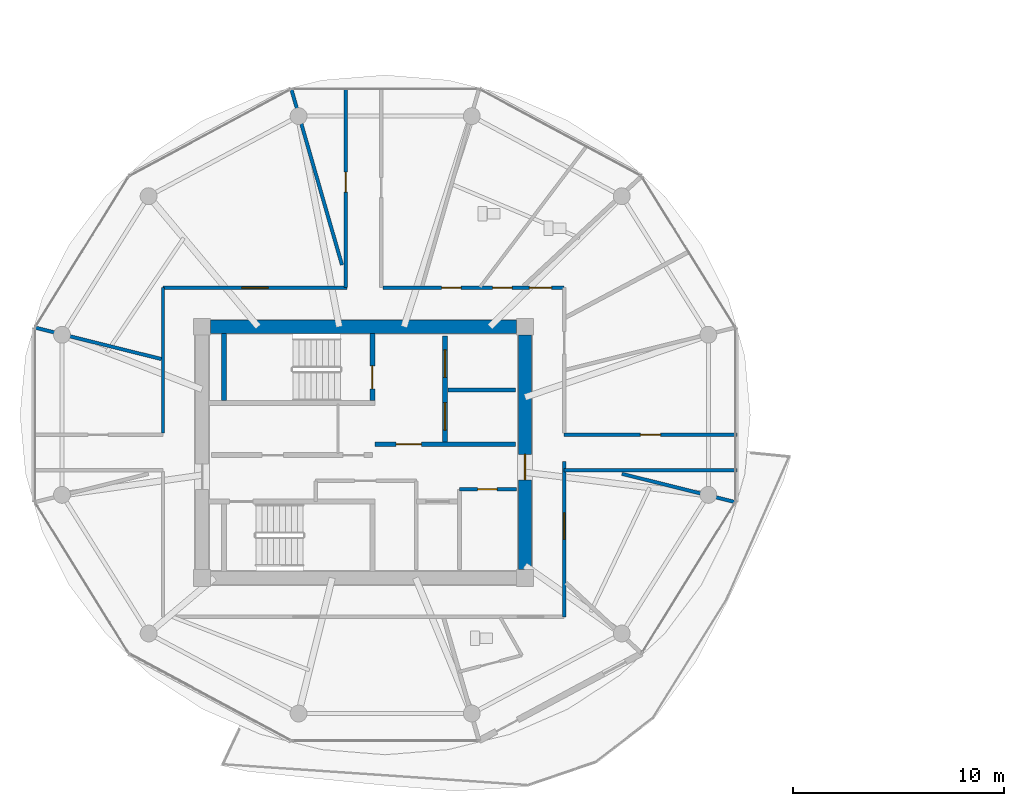
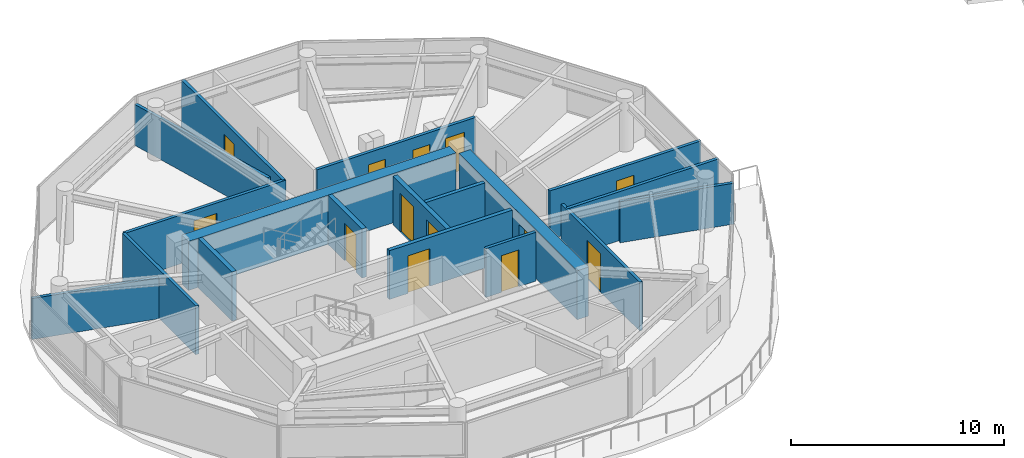
# One storey, part 13 of 23: 18 walls, 13 doors, 13 openings.
"""IFC4 building model written with IfcOpenShell, lengths in metres."""

from ifc_helpers import new_model, si_unit, direction, frame, frame_2d, origin, place, context, subcontext, project, spatial, rectangle, extrude, source, transform, mapped, material, layer, layer_set, type_object, type_shapes, element, fill, save


model = new_model("IFC4")

# Units and contexts
model_context = context("Model", 3, precision=1e-05, world=origin(), true_north=direction((0.0, 1.0)))
body_context = subcontext(model_context, "Body", "Model", "MODEL_VIEW")
ifc_project = project(units=[si_unit("LENGTHUNIT", "METRE"), si_unit("AREAUNIT", "SQUARE_METRE"), si_unit("VOLUMEUNIT", "CUBIC_METRE"), si_unit("PLANEANGLEUNIT", "RADIAN"), si_unit("MASSUNIT", "GRAM", prefix="KILO")], contexts=[model_context])

# Site, building, storey
site_placement = place(None, origin())
site = spatial("IfcSite", under=ifc_project, at=site_placement, CompositionType="ELEMENT")
building_placement = place(site_placement, origin())
building = spatial("IfcBuilding", under=site, at=building_placement, Name="Norrkilde Senior Care Towers", CompositionType="ELEMENT")
storey_placement = place(building_placement, frame((0.0, 0.0, 177.0)))
storey = spatial("IfcBuildingStorey", under=building, at=storey_placement, Name="L55", CompositionType="ELEMENT", Elevation=177.0)

# Wall
ifc_material_1 = material(Name="Concrete C50/60", Category="concrete")
ifc_layer_1 = layer(ifc_material_1, 0.6201171875)
ifc_layer_set_1 = layer_set([ifc_layer_1], Name="Concrete C50/60")
wall_type_1 = type_object("IfcWallType", Name="Core Shear Wall Z3 620", PredefinedType="SHEAR", material=ifc_layer_set_1)
shared_shape_1 = source(origin(), body_context, "Body", "SweptSolid", [
    extrude(rectangle(XDim=14.5, YDim=0.6201171875, at=frame_2d((7.25, 0.0))), origin(), (0.0, 0.0, 1.0), 2.81005859375),
])
wall_1_placement = place(storey_placement, frame((-35.25, 5.949951171875, 0.0), z_axis=(0.0, 0.0, 1.0), x_axis=(1.0, 0.0, 0.0)))
element("IfcWall", 1, at=wall_1_placement, inside=storey, type_object=wall_type_1, Name="L55 Core W North Shear Wall", PredefinedType="SHEAR", context=body_context, shape_type="MappedRepresentation", body=[
    mapped(shared_shape_1, transform((0.0, 0.0, 0.0), x_axis=(1.0, 0.0, 0.0), y_axis=(0.0, 1.0, 0.0), z_axis=(0.0, 0.0, 1.0), scale=1.0)),
])

# Wall, opening, door
shared_shape_2 = source(origin(), body_context, "Body", "SweptSolid", [
    extrude(rectangle(XDim=11.10009765625, YDim=0.6201171875, at=frame_2d((5.550048828125, 0.0))), origin(), (0.0, 0.0, 1.0), 2.81005859375),
])
type_shapes(wall_type_1, [shared_shape_1, shared_shape_2])
wall_2_placement = place(storey_placement, frame((-20.35009765625, 5.550048828125, 0.0), z_axis=(0.0, 0.0, 1.0), x_axis=(0.0, -1.0, 0.0)))
wall_2 = element("IfcWall", 2, at=wall_2_placement, inside=storey, type_object=wall_type_1, Name="L55 Core W East Shear Wall", PredefinedType="SHEAR", context=body_context, shape_type="MappedRepresentation", body=[
    mapped(shared_shape_2, transform((0.0, 0.0, 0.0), x_axis=(1.0, 0.0, 0.0), y_axis=(0.0, 1.0, 0.0), z_axis=(0.0, 0.0, 1.0), scale=1.0)),
])
opening_1_placement = place(wall_2_placement, frame((5.64990234375, 0.0, 0.0)))
opening_1 = element("IfcOpeningElement", 3, at=opening_1_placement, cuts=wall_2, Name="Opening D-04", PredefinedType="OPENING", context=body_context, shape_type="SweptSolid", body=[
    extrude(rectangle(XDim=1.199951171875, YDim=2.14990234375, at=frame_2d((0.60009765625, 1.074951171875))), frame((0.0, 0.320068359375, 0.0), z_axis=(0.0, -1.0, 0.0), x_axis=(1.0, 0.0, 0.0)), (0.0, 0.0, 1.0), 0.64013671875),
])
ifc_material_2 = material(Name="Galvanised Painted Steel", Category="steel")
door_type_1 = type_object("IfcDoorType", Name="Firefighting Lobby Fire Door 1200x2150", OperationType="NOTDEFINED", PredefinedType="DOOR", material=ifc_material_2)
shared_shape_3 = source(origin(), body_context, "Body", "SweptSolid", [
    extrude(rectangle(XDim=1.199951171875, YDim=2.14990234375, at=frame_2d((0.60009765625, 1.074951171875))), frame((0.0, 0.02490234375, 0.0), z_axis=(0.0, -1.0, 0.0), x_axis=(1.0, 0.0, 0.0)), (0.0, 0.0, 1.0), 0.050048828125),
])
type_shapes(door_type_1, [shared_shape_3])
door_1_placement = place(opening_1_placement, frame((1.199951171875, 0.0, 0.0), z_axis=(0.0, 0.0, 1.0), x_axis=(-1.0, 0.0, 0.0)))
door_1 = element("IfcDoor", 4, at=door_1_placement, inside=storey, type_object=door_type_1, Name="L55 Core W East Portal Door", OperationType="SINGLE_SWING_RIGHT", OverallHeight=2.14990234375, OverallWidth=1.199951171875, PredefinedType="DOOR", context=body_context, shape_type="MappedRepresentation", body=[
    mapped(shared_shape_3, transform((0.0, 0.0, 0.0), x_axis=(1.0, 0.0, 0.0), y_axis=(0.0, 1.0, 0.0), z_axis=(0.0, 0.0, 1.0), scale=1.0)),
])
fill(opening_1, door_1)

# Wall
ifc_material_3 = material(Name="Concrete C45/55", Category="concrete")
ifc_layer_2 = layer(ifc_material_3, 0.239990234375)
ifc_layer_set_2 = layer_set([ifc_layer_2], Name="Concrete C45/55")
wall_type_2 = type_object("IfcWallType", Name="Shaft and Stair Enclosure Wall 240", PredefinedType="PARTITIONING", material=ifc_layer_set_2)
shared_shape_4 = source(origin(), body_context, "Body", "SweptSolid", [
    extrude(rectangle(XDim=3.18994140625, YDim=0.239990234375, at=frame_2d((1.594970703125, 0.0))), origin(), (0.0, 0.0, 1.0), 2.81005859375),
])
type_shapes(wall_type_2, [shared_shape_4])
wall_3_placement = place(storey_placement, frame((-34.6201171875, 2.449951171875, 0.0), z_axis=(0.0, 0.0, 1.0), x_axis=(0.0, 1.0, 0.0)))
element("IfcWall", 5, at=wall_3_placement, inside=storey, type_object=wall_type_2, Name="WL-INT-L55-W-ST1W", PredefinedType="PARTITIONING", context=body_context, shape_type="MappedRepresentation", body=[
    mapped(shared_shape_4, transform((0.0, 0.0, 0.0), x_axis=(1.0, 0.0, 0.0), y_axis=(0.0, 1.0, 0.0), z_axis=(0.0, 0.0, 1.0), scale=1.0)),
])

# Wall, opening, door
wall_4_placement = place(storey_placement, frame((-27.580078125, 2.449951171875, 0.0), z_axis=(0.0, 0.0, 1.0), x_axis=(0.0, 1.0, 0.0)))
wall_4 = element("IfcWall", 6, at=wall_4_placement, inside=storey, type_object=wall_type_2, Name="WL-INT-L55-W-ST1E", PredefinedType="PARTITIONING", context=body_context, shape_type="MappedRepresentation", body=[
    mapped(shared_shape_4, transform((0.0, 0.0, 0.0), x_axis=(1.0, 0.0, 0.0), y_axis=(0.0, 1.0, 0.0), z_axis=(0.0, 0.0, 1.0), scale=1.0)),
])
opening_2_placement = place(wall_4_placement, frame((0.550048828125, 0.0, 0.0)))
opening_2 = element("IfcOpeningElement", 7, at=opening_2_placement, cuts=wall_4, Name="Opening D-03", PredefinedType="OPENING", context=body_context, shape_type="SweptSolid", body=[
    extrude(rectangle(XDim=1.10009765625, YDim=2.14990234375, at=frame_2d((0.550048828125, 1.074951171875))), frame((0.0, 0.1298828125, 0.0), z_axis=(0.0, -1.0, 0.0), x_axis=(1.0, 0.0, 0.0)), (0.0, 0.0, 1.0), 0.260009765625),
])
door_type_2 = type_object("IfcDoorType", Name="Stairwell Protected Fire Door 1100x2150", OperationType="NOTDEFINED", PredefinedType="DOOR", material=ifc_material_2)
shared_shape_5 = source(origin(), body_context, "Body", "SweptSolid", [
    extrude(rectangle(XDim=1.10009765625, YDim=2.14990234375, at=frame_2d((0.550048828125, 1.074951171875))), frame((0.0, 0.02490234375, 0.0), z_axis=(0.0, -1.0, 0.0), x_axis=(1.0, 0.0, 0.0)), (0.0, 0.0, 1.0), 0.050048828125),
])
type_shapes(door_type_2, [shared_shape_5])
door_2_placement = place(opening_2_placement, origin())
door_2 = element("IfcDoor", 8, at=door_2_placement, inside=storey, type_object=door_type_2, Name="L55 Stair W1 Fire Door", OperationType="SINGLE_SWING_LEFT", OverallHeight=2.14990234375, OverallWidth=1.10009765625, PredefinedType="DOOR", context=body_context, shape_type="MappedRepresentation", body=[
    mapped(shared_shape_5, transform((0.0, 0.0, 0.0), x_axis=(1.0, 0.0, 0.0), y_axis=(0.0, 1.0, 0.0), z_axis=(0.0, 0.0, 1.0), scale=1.0)),
])
fill(opening_2, door_2)

# Wall, openings, doors
ifc_layer_3 = layer(ifc_material_3, 0.239990234375)
ifc_layer_set_3 = layer_set([ifc_layer_3], Name="Concrete C45/55")
wall_type_3 = type_object("IfcWallType", Name="Lift and Plant Rated Enclosure Partition 240", PredefinedType="PARTITIONING", material=ifc_layer_set_3)
shared_shape_6 = source(origin(), body_context, "Body", "SweptSolid", [
    extrude(rectangle(XDim=5.0, YDim=0.239990234375, at=frame_2d((2.5, 0.0))), origin(), (0.0, 0.0, 1.0), 2.794921875),
])
type_shapes(wall_type_3, [shared_shape_6])
wall_5_placement = place(storey_placement, frame((-24.139892578125, 0.5, 0.0), z_axis=(0.0, 0.0, 1.0), x_axis=(0.0, 1.0, 0.0)))
wall_5 = element("IfcWall", 9, at=wall_5_placement, inside=storey, type_object=wall_type_3, Name="WL-INT-L55-W-FFLE", PredefinedType="PARTITIONING", context=body_context, shape_type="MappedRepresentation", body=[
    mapped(shared_shape_6, transform((0.0, 0.0, 0.0), x_axis=(1.0, 0.0, 0.0), y_axis=(0.0, 1.0, 0.0), z_axis=(0.0, 0.0, 1.0), scale=1.0)),
])
opening_3_placement = place(wall_5_placement, frame((3.050048828125, 0.0, 0.0)))
opening_3 = element("IfcOpeningElement", 10, at=opening_3_placement, cuts=wall_5, Name="Opening LD-02", PredefinedType="OPENING", context=body_context, shape_type="SweptSolid", body=[
    extrude(rectangle(XDim=1.300048828125, YDim=2.199951171875, at=frame_2d((0.64990234375, 1.10009765625))), frame((0.0, 0.1298828125, 0.0), z_axis=(0.0, -1.0, 0.0), x_axis=(1.0, 0.0, 0.0)), (0.0, 0.0, 1.0), 0.260009765625),
])
opening_4_placement = place(wall_5_placement, frame((0.550048828125, 0.0, 0.0)))
opening_4 = element("IfcOpeningElement", 11, at=opening_4_placement, cuts=wall_5, Name="Opening LD-02", PredefinedType="OPENING", context=body_context, shape_type="SweptSolid", body=[
    extrude(rectangle(XDim=1.300048828125, YDim=2.199951171875, at=frame_2d((0.64990234375, 1.10009765625))), frame((0.0, 0.1298828125, 0.0), z_axis=(0.0, -1.0, 0.0), x_axis=(1.0, 0.0, 0.0)), (0.0, 0.0, 1.0), 0.260009765625),
])
ifc_material_4 = material(Name="Stainless Steel", Category="steel")
door_type_3 = type_object("IfcDoorType", Name="Stretcher and FFL Landing Sliding Door 1300x2200", OperationType="NOTDEFINED", PredefinedType="DOOR", material=ifc_material_4)
shared_shape_7 = source(origin(), body_context, "Body", "SweptSolid", [
    extrude(rectangle(XDim=1.300048828125, YDim=2.199951171875, at=frame_2d((0.64990234375, 1.10009765625))), frame((0.0, 0.02490234375, 0.0), z_axis=(0.0, -1.0, 0.0), x_axis=(1.0, 0.0, 0.0)), (0.0, 0.0, 1.0), 0.050048828125),
])
type_shapes(door_type_3, [shared_shape_7])
door_3_placement = place(opening_3_placement, origin())
door_3 = element("IfcDoor", 12, at=door_3_placement, inside=storey, type_object=door_type_3, Name="L55 Firefighting Lift W1 Landing Door", OperationType="SLIDING_TO_LEFT", OverallHeight=2.199951171875, OverallWidth=1.300048828125, PredefinedType="DOOR", context=body_context, shape_type="MappedRepresentation", body=[
    mapped(shared_shape_7, transform((0.0, 0.0, 0.0), x_axis=(1.0, 0.0, 0.0), y_axis=(0.0, 1.0, 0.0), z_axis=(0.0, 0.0, 1.0), scale=1.0)),
])
fill(opening_3, door_3)
door_4_placement = place(opening_4_placement, origin())
door_4 = element("IfcDoor", 13, at=door_4_placement, inside=storey, type_object=door_type_3, Name="L55 Stretcher Lift W1 Landing Door", OperationType="SLIDING_TO_RIGHT", OverallHeight=2.199951171875, OverallWidth=1.300048828125, PredefinedType="DOOR", context=body_context, shape_type="MappedRepresentation", body=[
    mapped(shared_shape_7, transform((0.0, 0.0, 0.0), x_axis=(1.0, 0.0, 0.0), y_axis=(0.0, 1.0, 0.0), z_axis=(0.0, 0.0, 1.0), scale=1.0)),
])
fill(opening_4, door_4)

# Wall
ifc_layer_4 = layer(ifc_material_3, 0.199951171875)
ifc_layer_set_4 = layer_set([ifc_layer_4], Name="Concrete C45/55")
wall_type_4 = type_object("IfcWallType", Name="Shaft Division and Plant Partition 200", PredefinedType="PARTITIONING", material=ifc_layer_set_4)
shared_shape_8 = source(origin(), body_context, "Body", "SweptSolid", [
    extrude(rectangle(XDim=3.199951171875, YDim=0.199951171875, at=frame_2d((1.60009765625, 0.0))), origin(), (0.0, 0.0, 1.0), 2.794921875),
])
type_shapes(wall_type_4, [shared_shape_8])
wall_6_placement = place(storey_placement, frame((-24.0, 2.949951171875, 0.0), z_axis=(0.0, 0.0, 1.0), x_axis=(1.0, 0.0, 0.0)))
element("IfcWall", 14, at=wall_6_placement, inside=storey, type_object=wall_type_4, Name="WL-INT-L55-W-FFLDIV", PredefinedType="PARTITIONING", context=body_context, shape_type="MappedRepresentation", body=[
    mapped(shared_shape_8, transform((0.0, 0.0, 0.0), x_axis=(1.0, 0.0, 0.0), y_axis=(0.0, 1.0, 0.0), z_axis=(0.0, 0.0, 1.0), scale=1.0)),
])

# Wall, opening, door
ifc_layer_5 = layer(ifc_material_3, 0.2099609375)
ifc_layer_set_5 = layer_set([ifc_layer_5], Name="Concrete C45/55")
wall_type_5 = type_object("IfcWallType", Name="Firefighting Lobby Wall 210", PredefinedType="PARTITIONING", material=ifc_layer_set_5)
shared_shape_9 = source(origin(), body_context, "Body", "SweptSolid", [
    extrude(rectangle(XDim=6.659912109375, YDim=0.2099609375, at=frame_2d((3.330078125, 0.0))), origin(), (0.0, 0.0, 1.0), 2.794921875),
])
type_shapes(wall_type_5, [shared_shape_9])
wall_7_placement = place(storey_placement, frame((-27.4599609375, 0.389892578125, 0.0), z_axis=(0.0, 0.0, 1.0), x_axis=(1.0, 0.0, 0.0)))
wall_7 = element("IfcWall", 15, at=wall_7_placement, inside=storey, type_object=wall_type_5, Name="WL-INT-L55-W-FFLS", PredefinedType="PARTITIONING", context=body_context, shape_type="MappedRepresentation", body=[
    mapped(shared_shape_9, transform((0.0, 0.0, 0.0), x_axis=(1.0, 0.0, 0.0), y_axis=(0.0, 1.0, 0.0), z_axis=(0.0, 0.0, 1.0), scale=1.0)),
])
opening_5_placement = place(wall_7_placement, frame((1.0, 0.0, 0.0)))
opening_5 = element("IfcOpeningElement", 16, at=opening_5_placement, cuts=wall_7, Name="Opening D-04", PredefinedType="OPENING", context=body_context, shape_type="SweptSolid", body=[
    extrude(rectangle(XDim=1.199951171875, YDim=2.14990234375, at=frame_2d((0.60009765625, 1.074951171875))), frame((0.0, 0.114990234375, 0.0), z_axis=(0.0, -1.0, 0.0), x_axis=(1.0, 0.0, 0.0)), (0.0, 0.0, 1.0), 0.22998046875),
])
door_5_placement = place(opening_5_placement, frame((1.199951171875, 0.0, 0.0), z_axis=(0.0, 0.0, 1.0), x_axis=(-1.0, 0.0, 0.0)))
door_5 = element("IfcDoor", 17, at=door_5_placement, inside=storey, type_object=door_type_1, Name="L55 Firefighting Lobby W Door", OperationType="SINGLE_SWING_LEFT", OverallHeight=2.14990234375, OverallWidth=1.199951171875, PredefinedType="DOOR", context=body_context, shape_type="MappedRepresentation", body=[
    mapped(shared_shape_3, transform((0.0, 0.0, 0.0), x_axis=(1.0, 0.0, 0.0), y_axis=(0.0, 1.0, 0.0), z_axis=(0.0, 0.0, 1.0), scale=1.0)),
])
fill(opening_5, door_5)

ifc_material_5 = material(Name="Gypsum Acoustic Board")
ifc_layer_6 = layer(ifc_material_5, 0.1650390625)
ifc_layer_set_6 = layer_set([ifc_layer_6], Name="Gypsum Acoustic Board")
wall_type_6 = type_object("IfcWallType", Name="Corridor Rated Partition 165", PredefinedType="PARTITIONING", material=ifc_layer_set_6)
shared_shape_10 = source(origin(), body_context, "Body", "SweptSolid", [
    extrude(rectangle(XDim=2.699951171875, YDim=0.1650390625, at=frame_2d((1.35009765625, 0.0))), origin(), (0.0, 0.0, 1.0), 2.794921875),
])
wall_8_placement = place(storey_placement, frame((-23.449951171875, -1.75, 0.0), z_axis=(0.0, 0.0, 1.0), x_axis=(1.0, 0.0, 0.0)))
wall_8 = element("IfcWall", 18, at=wall_8_placement, inside=storey, type_object=wall_type_6, Name="WL-INT-L55-W-CSN", PredefinedType="PARTITIONING", context=body_context, shape_type="MappedRepresentation", body=[
    mapped(shared_shape_10, transform((0.0, 0.0, 0.0), x_axis=(1.0, 0.0, 0.0), y_axis=(0.0, 1.0, 0.0), z_axis=(0.0, 0.0, 1.0), scale=1.0)),
])
opening_6_placement = place(wall_8_placement, frame((0.85009765625, 0.0, 0.0)))
opening_6 = element("IfcOpeningElement", 19, at=opening_6_placement, cuts=wall_8, Name="Opening D-12", PredefinedType="OPENING", context=body_context, shape_type="SweptSolid", body=[
    extrude(rectangle(XDim=0.925048828125, YDim=2.10009765625, at=frame_2d((0.46240234375, 1.050048828125))), frame((0.0, 0.092529296875, 0.0), z_axis=(0.0, -1.0, 0.0), x_axis=(1.0, 0.0, 0.0)), (0.0, 0.0, 1.0), 0.18505859375),
])
door_type_4 = type_object("IfcDoorType", Name="Core Wet Room Rated Door 925x2100", OperationType="NOTDEFINED", PredefinedType="DOOR", material=ifc_material_2)
shared_shape_11 = source(origin(), body_context, "Body", "SweptSolid", [
    extrude(rectangle(XDim=0.925048828125, YDim=2.10009765625, at=frame_2d((0.46240234375, 1.050048828125))), frame((0.0, 0.02490234375, 0.0), z_axis=(0.0, -1.0, 0.0), x_axis=(1.0, 0.0, 0.0)), (0.0, 0.0, 1.0), 0.050048828125),
])
type_shapes(door_type_4, [shared_shape_11])
door_6_placement = place(opening_6_placement, origin())
door_6 = element("IfcDoor", 20, at=door_6_placement, inside=storey, type_object=door_type_4, Name="L55 Core Utility W Door", OperationType="SINGLE_SWING_LEFT", OverallHeight=2.10009765625, OverallWidth=0.925048828125, PredefinedType="DOOR", context=body_context, shape_type="MappedRepresentation", body=[
    mapped(shared_shape_11, transform((0.0, 0.0, 0.0), x_axis=(1.0, 0.0, 0.0), y_axis=(0.0, 1.0, 0.0), z_axis=(0.0, 0.0, 1.0), scale=1.0)),
])
fill(opening_6, door_6)

shared_shape_12 = source(origin(), body_context, "Body", "SweptSolid", [
    extrude(rectangle(XDim=8.719482421875, YDim=0.1650390625, at=frame_2d((4.35986328125, 0.0))), origin(), (0.0, 0.0, 1.0), 2.794921875),
])
wall_9_placement = place(storey_placement, frame((-37.5, 7.800048828125, 0.0), z_axis=(0.0, 0.0, 1.0), x_axis=(1.0, 0.0, 0.0)))
wall_9 = element("IfcWall", 21, at=wall_9_placement, inside=storey, type_object=wall_type_6, Name="WL-INT-L55-W-CRW-N-0", PredefinedType="PARTITIONING", context=body_context, shape_type="MappedRepresentation", body=[
    mapped(shared_shape_12, transform((0.0, 0.0, 0.0), x_axis=(1.0, 0.0, 0.0), y_axis=(0.0, 1.0, 0.0), z_axis=(0.0, 0.0, 1.0), scale=1.0)),
])
opening_7_placement = place(wall_9_placement, frame((3.73486328125, 0.0, 0.0)))
opening_7 = element("IfcOpeningElement", 22, at=opening_7_placement, cuts=wall_9, Name="Opening D-05", PredefinedType="OPENING", context=body_context, shape_type="SweptSolid", body=[
    extrude(rectangle(XDim=1.25, YDim=2.199951171875, at=frame_2d((0.625, 1.10009765625))), frame((0.0, 0.092529296875, 0.0), z_axis=(0.0, -1.0, 0.0), x_axis=(1.0, 0.0, 0.0)), (0.0, 0.0, 1.0), 0.18505859375),
])
ifc_material_6 = material(Name="Nordic Ash Timber", Category="wood")
door_type_5 = type_object("IfcDoorType", Name="Care Bedroom Bariatric Door 1250x2200", OperationType="NOTDEFINED", PredefinedType="DOOR", material=ifc_material_6)
shared_shape_13 = source(origin(), body_context, "Body", "SweptSolid", [
    extrude(rectangle(XDim=1.25, YDim=2.199951171875, at=frame_2d((0.625, 1.10009765625))), frame((0.0, 0.02490234375, 0.0), z_axis=(0.0, -1.0, 0.0), x_axis=(1.0, 0.0, 0.0)), (0.0, 0.0, 1.0), 0.050048828125),
])
type_shapes(door_type_5, [shared_shape_13])
door_7_placement = place(opening_7_placement, frame((1.25, 0.0, 0.0), z_axis=(0.0, 0.0, 1.0), x_axis=(-1.0, 0.0, 0.0)))
door_7 = element("IfcDoor", 23, at=door_7_placement, inside=storey, type_object=door_type_5, Name="L55 Household Communal Dining Salon Door", OperationType="SINGLE_SWING_RIGHT", OverallHeight=2.199951171875, OverallWidth=1.25, PredefinedType="DOOR", context=body_context, shape_type="MappedRepresentation", body=[
    mapped(shared_shape_13, transform((0.0, 0.0, 0.0), x_axis=(1.0, 0.0, 0.0), y_axis=(0.0, 1.0, 0.0), z_axis=(0.0, 0.0, 1.0), scale=1.0)),
])
fill(opening_7, door_7)

# Walls
shared_shape_14 = source(origin(), body_context, "Body", "SweptSolid", [
    extrude(rectangle(XDim=8.695068359375, YDim=0.1650390625, at=frame_2d((4.34765625, 0.0))), origin(), (0.0, 0.0, 1.0), 2.344970703125),
])
wall_10_placement = place(storey_placement, frame((-29.02001953125, 8.875, 0.0), z_axis=(0.0, 0.0, 1.0), x_axis=(-0.276797231892, 0.960928349263, 0.0)))
element("IfcWall", 24, at=wall_10_placement, inside=storey, type_object=wall_type_6, Name="WL-INT-L55-W-DEM-03-0", PredefinedType="PARTITIONING", context=body_context, shape_type="MappedRepresentation", body=[
    mapped(shared_shape_14, transform((0.0, 0.0, 0.0), x_axis=(1.0, 0.0, 0.0), y_axis=(0.0, 1.0, 0.0), z_axis=(0.0, 0.0, 1.0), scale=1.0)),
])
shared_shape_15 = source(origin(), body_context, "Body", "SweptSolid", [
    extrude(rectangle(XDim=6.192626953125, YDim=0.1650390625, at=frame_2d((3.09619140625, 0.0))), origin(), (0.0, 0.0, 1.0), 2.344970703125),
])
wall_11_placement = place(storey_placement, frame((-37.580078125, 4.418701171875, 0.0), z_axis=(0.0, 0.0, 1.0), x_axis=(-0.970309243466, 0.241867674657, 0.0)))
element("IfcWall", 25, at=wall_11_placement, inside=storey, type_object=wall_type_6, Name="WL-INT-L55-W-DEM-05-0", PredefinedType="PARTITIONING", context=body_context, shape_type="MappedRepresentation", body=[
    mapped(shared_shape_15, transform((0.0, 0.0, 0.0), x_axis=(1.0, 0.0, 0.0), y_axis=(0.0, 1.0, 0.0), z_axis=(0.0, 0.0, 1.0), scale=1.0)),
])
shared_shape_16 = source(origin(), body_context, "Body", "SweptSolid", [
    extrude(rectangle(XDim=5.564453125, YDim=0.1650390625, at=frame_2d((2.7822265625, 0.0))), origin(), (0.0, 0.0, 1.0), 2.344970703125),
])
wall_12_placement = place(storey_placement, frame((-15.76025390625, -1.02001953125, 0.0), z_axis=(0.0, 0.0, 1.0), x_axis=(0.970315176167, -0.241843872984, 0.0)))
element("IfcWall", 26, at=wall_12_placement, inside=storey, type_object=wall_type_6, Name="WL-INT-L55-W-DEM-11-0", PredefinedType="PARTITIONING", context=body_context, shape_type="MappedRepresentation", body=[
    mapped(shared_shape_16, transform((0.0, 0.0, 0.0), x_axis=(1.0, 0.0, 0.0), y_axis=(0.0, 1.0, 0.0), z_axis=(0.0, 0.0, 1.0), scale=1.0)),
])

# Wall, openings, doors
shared_shape_17 = source(origin(), body_context, "Body", "SweptSolid", [
    extrude(rectangle(XDim=8.580078125, YDim=0.1650390625, at=frame_2d((4.2900390625, 0.0))), origin(), (0.0, 0.0, 1.0), 2.794921875),
])
wall_13_placement = place(storey_placement, frame((-27.080078125, 7.800048828125, 0.0), z_axis=(0.0, 0.0, 1.0), x_axis=(1.0, 0.0, 0.0)))
wall_13 = element("IfcWall", 27, at=wall_13_placement, inside=storey, type_object=wall_type_6, Name="WL-INT-L55-W-CRW-N-1", PredefinedType="PARTITIONING", context=body_context, shape_type="MappedRepresentation", body=[
    mapped(shared_shape_17, transform((0.0, 0.0, 0.0), x_axis=(1.0, 0.0, 0.0), y_axis=(0.0, 1.0, 0.0), z_axis=(0.0, 0.0, 1.0), scale=1.0)),
])
opening_8_placement = place(wall_13_placement, frame((6.93994140625, 0.0, 0.0)))
opening_8 = element("IfcOpeningElement", 28, at=opening_8_placement, cuts=wall_13, Name="Opening D-06", PredefinedType="OPENING", context=body_context, shape_type="SweptSolid", body=[
    extrude(rectangle(XDim=1.050048828125, YDim=2.14990234375, at=frame_2d((0.52490234375, 1.074951171875))), frame((0.0, 0.092529296875, 0.0), z_axis=(0.0, -1.0, 0.0), x_axis=(1.0, 0.0, 0.0)), (0.0, 0.0, 1.0), 0.18505859375),
])
opening_9_placement = place(wall_13_placement, frame((5.197265625, 0.0, 0.0)))
opening_9 = element("IfcOpeningElement", 29, at=opening_9_placement, cuts=wall_13, Name="Opening D-08", PredefinedType="OPENING", context=body_context, shape_type="SweptSolid", body=[
    extrude(rectangle(XDim=0.919921875, YDim=2.10009765625, at=frame_2d((0.4599609375, 1.050048828125))), frame((0.0, 0.092529296875, 0.0), z_axis=(0.0, -1.0, 0.0), x_axis=(1.0, 0.0, 0.0)), (0.0, 0.0, 1.0), 0.18505859375),
])
opening_10_placement = place(wall_13_placement, frame((2.777587890625, 0.0, 0.0)))
opening_10 = element("IfcOpeningElement", 30, at=opening_10_placement, cuts=wall_13, Name="Opening D-08", PredefinedType="OPENING", context=body_context, shape_type="SweptSolid", body=[
    extrude(rectangle(XDim=0.919921875, YDim=2.10009765625, at=frame_2d((0.4599609375, 1.050048828125))), frame((0.0, 0.092529296875, 0.0), z_axis=(0.0, -1.0, 0.0), x_axis=(1.0, 0.0, 0.0)), (0.0, 0.0, 1.0), 0.18505859375),
])
door_type_6 = type_object("IfcDoorType", Name="Accessible Wet Room Door 920x2100", OperationType="NOTDEFINED", PredefinedType="DOOR", material=ifc_material_6)
shared_shape_18 = source(origin(), body_context, "Body", "SweptSolid", [
    extrude(rectangle(XDim=0.919921875, YDim=2.10009765625, at=frame_2d((0.4599609375, 1.050048828125))), frame((0.0, 0.02490234375, 0.0), z_axis=(0.0, -1.0, 0.0), x_axis=(1.0, 0.0, 0.0)), (0.0, 0.0, 1.0), 0.050048828125),
])
type_shapes(door_type_6, [shared_shape_18])
door_8_placement = place(opening_9_placement, frame((0.919921875, 0.0, 0.0), z_axis=(0.0, 0.0, 1.0), x_axis=(-1.0, 0.0, 0.0)))
door_8 = element("IfcDoor", 31, at=door_8_placement, inside=storey, type_object=door_type_6, Name="L55 Accessible Restroom Door", OperationType="SINGLE_SWING_RIGHT", OverallHeight=2.10009765625, OverallWidth=0.919921875, PredefinedType="DOOR", context=body_context, shape_type="MappedRepresentation", body=[
    mapped(shared_shape_18, transform((0.0, 0.0, 0.0), x_axis=(1.0, 0.0, 0.0), y_axis=(0.0, 1.0, 0.0), z_axis=(0.0, 0.0, 1.0), scale=1.0)),
])
fill(opening_9, door_8)
door_9_placement = place(opening_10_placement, frame((0.919921875, 0.0, 0.0), z_axis=(0.0, 0.0, 1.0), x_axis=(-1.0, 0.0, 0.0)))
door_9 = element("IfcDoor", 32, at=door_9_placement, inside=storey, type_object=door_type_6, Name="L55 Public Restroom Door", OperationType="SINGLE_SWING_LEFT", OverallHeight=2.10009765625, OverallWidth=0.919921875, PredefinedType="DOOR", context=body_context, shape_type="MappedRepresentation", body=[
    mapped(shared_shape_18, transform((0.0, 0.0, 0.0), x_axis=(1.0, 0.0, 0.0), y_axis=(0.0, 1.0, 0.0), z_axis=(0.0, 0.0, 1.0), scale=1.0)),
])
fill(opening_10, door_9)
door_type_7 = type_object("IfcDoorType", Name="Apartment Entrance Fire Door 1050x2150", OperationType="NOTDEFINED", PredefinedType="DOOR", material=ifc_material_6)
shared_shape_19 = source(origin(), body_context, "Body", "SweptSolid", [
    extrude(rectangle(XDim=1.050048828125, YDim=2.14990234375, at=frame_2d((0.52490234375, 1.074951171875))), frame((0.0, 0.02490234375, 0.0), z_axis=(0.0, -1.0, 0.0), x_axis=(1.0, 0.0, 0.0)), (0.0, 0.0, 1.0), 0.050048828125),
])
type_shapes(door_type_7, [shared_shape_19])
door_10_placement = place(opening_8_placement, frame((1.050048828125, 0.0, 0.0), z_axis=(0.0, 0.0, 1.0), x_axis=(-1.0, 0.0, 0.0)))
door_10 = element("IfcDoor", 33, at=door_10_placement, inside=storey, type_object=door_type_7, Name="L55 Assessment Clinic 0B Door", OperationType="SINGLE_SWING_RIGHT", OverallHeight=2.14990234375, OverallWidth=1.050048828125, PredefinedType="DOOR", context=body_context, shape_type="MappedRepresentation", body=[
    mapped(shared_shape_19, transform((0.0, 0.0, 0.0), x_axis=(1.0, 0.0, 0.0), y_axis=(0.0, 1.0, 0.0), z_axis=(0.0, 0.0, 1.0), scale=1.0)),
])
fill(opening_8, door_10)

# Wall
shared_shape_20 = source(origin(), body_context, "Body", "SweptSolid", [
    extrude(rectangle(XDim=6.880126953125, YDim=0.1650390625, at=frame_2d((3.43994140625, 0.0))), origin(), (0.0, 0.0, 1.0), 2.794921875),
])
wall_14_placement = place(storey_placement, frame((-37.5, 0.919921875, 0.0), z_axis=(0.0, 0.0, 1.0), x_axis=(0.0, 1.0, 0.0)))
element("IfcWall", 34, at=wall_14_placement, inside=storey, type_object=wall_type_6, Name="WL-INT-L55-W-CRW-W-1", PredefinedType="PARTITIONING", context=body_context, shape_type="MappedRepresentation", body=[
    mapped(shared_shape_20, transform((0.0, 0.0, 0.0), x_axis=(1.0, 0.0, 0.0), y_axis=(0.0, 1.0, 0.0), z_axis=(0.0, 0.0, 1.0), scale=1.0)),
])

# Wall, opening, door
shared_shape_21 = source(origin(), body_context, "Body", "SweptSolid", [
    extrude(rectangle(XDim=7.364501953125, YDim=0.1650390625, at=frame_2d((3.68212890625, 0.0))), origin(), (0.0, 0.0, 1.0), 2.794921875),
])
wall_15_placement = place(storey_placement, frame((-18.5, -0.435546875, 0.0), z_axis=(0.0, 0.0, 1.0), x_axis=(0.0, -1.0, 0.0)))
wall_15 = element("IfcWall", 35, at=wall_15_placement, inside=storey, type_object=wall_type_6, Name="WL-INT-L55-W-CRW-E-1", PredefinedType="PARTITIONING", context=body_context, shape_type="MappedRepresentation", body=[
    mapped(shared_shape_21, transform((0.0, 0.0, 0.0), x_axis=(1.0, 0.0, 0.0), y_axis=(0.0, 1.0, 0.0), z_axis=(0.0, 0.0, 1.0), scale=1.0)),
])
opening_11_placement = place(wall_15_placement, frame((2.43310546875, 0.0, 0.0)))
opening_11 = element("IfcOpeningElement", 36, at=opening_11_placement, cuts=wall_15, Name="Opening D-05", PredefinedType="OPENING", context=body_context, shape_type="SweptSolid", body=[
    extrude(rectangle(XDim=1.25, YDim=2.199951171875, at=frame_2d((0.625, 1.10009765625))), frame((0.0, 0.092529296875, 0.0), z_axis=(0.0, -1.0, 0.0), x_axis=(1.0, 0.0, 0.0)), (0.0, 0.0, 1.0), 0.18505859375),
])
door_11_placement = place(opening_11_placement, frame((1.25, 0.0, 0.0), z_axis=(0.0, 0.0, 1.0), x_axis=(-1.0, 0.0, 0.0)))
door_11 = element("IfcDoor", 37, at=door_11_placement, inside=storey, type_object=door_type_5, Name="L55 Household Therapeutic Kitchen Door", OperationType="SINGLE_SWING_LEFT", OverallHeight=2.199951171875, OverallWidth=1.25, PredefinedType="DOOR", context=body_context, shape_type="MappedRepresentation", body=[
    mapped(shared_shape_13, transform((0.0, 0.0, 0.0), x_axis=(1.0, 0.0, 0.0), y_axis=(0.0, 1.0, 0.0), z_axis=(0.0, 0.0, 1.0), scale=1.0)),
])
fill(opening_11, door_11)

shared_shape_22 = source(origin(), body_context, "Body", "SweptSolid", [
    extrude(rectangle(XDim=9.480224609375, YDim=0.1650390625, at=frame_2d((4.740234375, 0.0))), origin(), (0.0, 0.0, 1.0), 2.794921875),
])
wall_16_placement = place(storey_placement, frame((-28.840087890625, 7.800048828125, 0.0), z_axis=(0.0, 0.0, 1.0), x_axis=(0.0, 1.0, 0.0)))
wall_16 = element("IfcWall", 38, at=wall_16_placement, inside=storey, type_object=wall_type_6, Name="WL-INT-L55-W-SPK-N1-0", PredefinedType="PARTITIONING", context=body_context, shape_type="MappedRepresentation", body=[
    mapped(shared_shape_22, transform((0.0, 0.0, 0.0), x_axis=(1.0, 0.0, 0.0), y_axis=(0.0, 1.0, 0.0), z_axis=(0.0, 0.0, 1.0), scale=1.0)),
])
opening_12_placement = place(wall_16_placement, frame((4.5205078125, 0.0, 0.0)))
opening_12 = element("IfcOpeningElement", 39, at=opening_12_placement, cuts=wall_16, Name="Opening D-07", PredefinedType="OPENING", context=body_context, shape_type="SweptSolid", body=[
    extrude(rectangle(XDim=0.949951171875, YDim=2.10009765625, at=frame_2d((0.47509765625, 1.050048828125))), frame((0.0, 0.092529296875, 0.0), z_axis=(0.0, -1.0, 0.0), x_axis=(1.0, 0.0, 0.0)), (0.0, 0.0, 1.0), 0.18505859375),
])
door_type_8 = type_object("IfcDoorType", Name="Internal Suite Bedroom Door 950x2100", OperationType="NOTDEFINED", PredefinedType="DOOR", material=ifc_material_6)
shared_shape_23 = source(origin(), body_context, "Body", "SweptSolid", [
    extrude(rectangle(XDim=0.949951171875, YDim=2.10009765625, at=frame_2d((0.47509765625, 1.050048828125))), frame((0.0, 0.02490234375, 0.0), z_axis=(0.0, -1.0, 0.0), x_axis=(1.0, 0.0, 0.0)), (0.0, 0.0, 1.0), 0.050048828125),
])
type_shapes(door_type_8, [shared_shape_23])
door_12_placement = place(opening_12_placement, frame((0.949951171875, 0.0, 0.0), z_axis=(0.0, 0.0, 1.0), x_axis=(-1.0, 0.0, 0.0)))
door_12 = element("IfcDoor", 40, at=door_12_placement, inside=storey, type_object=door_type_8, Name="L55 Sun Reading Lounge 3 Door", OperationType="SINGLE_SWING_RIGHT", OverallHeight=2.10009765625, OverallWidth=0.949951171875, PredefinedType="DOOR", context=body_context, shape_type="MappedRepresentation", body=[
    mapped(shared_shape_23, transform((0.0, 0.0, 0.0), x_axis=(1.0, 0.0, 0.0), y_axis=(0.0, 1.0, 0.0), z_axis=(0.0, 0.0, 1.0), scale=1.0)),
])
fill(opening_12, door_12)

shared_shape_24 = source(origin(), body_context, "Body", "SweptSolid", [
    extrude(rectangle(XDim=8.18896484375, YDim=0.1650390625, at=frame_2d((4.094482421875, 0.0))), origin(), (0.0, 0.0, 1.0), 2.794921875),
])
type_shapes(wall_type_6, [shared_shape_10, shared_shape_12, shared_shape_14, shared_shape_15, shared_shape_16, shared_shape_17, shared_shape_20, shared_shape_21, shared_shape_22, shared_shape_24])
wall_17_placement = place(storey_placement, frame((-18.5, 0.840087890625, 0.0), z_axis=(0.0, 0.0, 1.0), x_axis=(1.0, 0.0, 0.0)))
wall_17 = element("IfcWall", 41, at=wall_17_placement, inside=storey, type_object=wall_type_6, Name="WL-INT-L55-W-SPK-E1-0", PredefinedType="PARTITIONING", context=body_context, shape_type="MappedRepresentation", body=[
    mapped(shared_shape_24, transform((0.0, 0.0, 0.0), x_axis=(1.0, 0.0, 0.0), y_axis=(0.0, 1.0, 0.0), z_axis=(0.0, 0.0, 1.0), scale=1.0)),
])
opening_13_placement = place(wall_17_placement, frame((3.619384765625, 0.0, 0.0)))
opening_13 = element("IfcOpeningElement", 42, at=opening_13_placement, cuts=wall_17, Name="Opening D-07", PredefinedType="OPENING", context=body_context, shape_type="SweptSolid", body=[
    extrude(rectangle(XDim=0.949951171875, YDim=2.10009765625, at=frame_2d((0.47509765625, 1.050048828125))), frame((0.0, 0.092529296875, 0.0), z_axis=(0.0, -1.0, 0.0), x_axis=(1.0, 0.0, 0.0)), (0.0, 0.0, 1.0), 0.18505859375),
])
door_13_placement = place(opening_13_placement, frame((0.949951171875, 0.0, 0.0), z_axis=(0.0, 0.0, 1.0), x_axis=(-1.0, 0.0, 0.0)))
door_13 = element("IfcDoor", 43, at=door_13_placement, inside=storey, type_object=door_type_8, Name="L55 Sun Reading Lounge 5 Door", OperationType="SINGLE_SWING_RIGHT", OverallHeight=2.10009765625, OverallWidth=0.949951171875, PredefinedType="DOOR", context=body_context, shape_type="MappedRepresentation", body=[
    mapped(shared_shape_23, transform((0.0, 0.0, 0.0), x_axis=(1.0, 0.0, 0.0), y_axis=(0.0, 1.0, 0.0), z_axis=(0.0, 0.0, 1.0), scale=1.0)),
])
fill(opening_13, door_13)

# Wall
wall_18_placement = place(storey_placement, frame((-10.31103515625, -0.840087890625, 0.0), z_axis=(0.0, 0.0, 1.0), x_axis=(-1.0, 0.0, 0.0)))
element("IfcWall", 44, at=wall_18_placement, inside=storey, type_object=wall_type_6, Name="WL-INT-L55-W-SPK-E2-0", PredefinedType="PARTITIONING", context=body_context, shape_type="MappedRepresentation", body=[
    mapped(shared_shape_24, transform((0.0, 0.0, 0.0), x_axis=(1.0, 0.0, 0.0), y_axis=(0.0, 1.0, 0.0), z_axis=(0.0, 0.0, 1.0), scale=1.0)),
])

save(model, "model.ifc")
